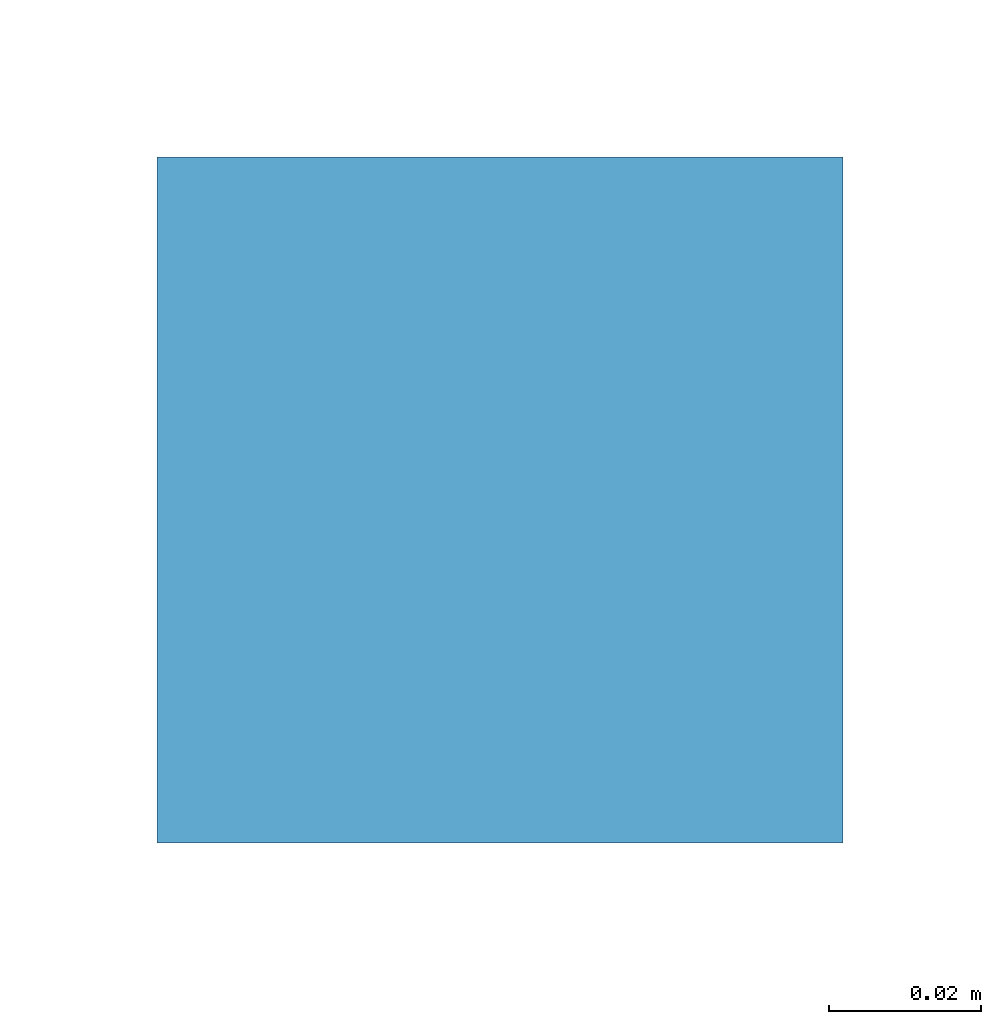
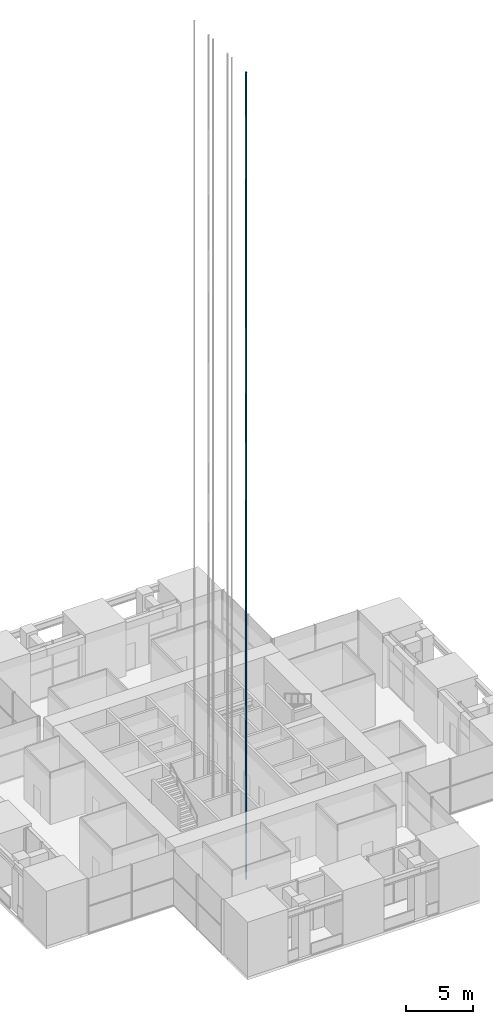
# One storey, part 8 of 17: 1 discrete accessory.
"""IFC4 building model written with IfcOpenShell, lengths in metres."""

from ifc_helpers import new_model, si_unit, direction, frame, origin, origin_2d, place, context, subcontext, project, spatial, rectangle, extrude, element, save


model = new_model("IFC4")

# Units and contexts
model_context = context("Model", 3, precision=1e-05, world=origin(), true_north=direction((0.0, 1.0)))
body_context = subcontext(model_context, "Body", "Model", "MODEL_VIEW")
ifc_project = project(units=[si_unit("LENGTHUNIT", "METRE"), si_unit("AREAUNIT", "SQUARE_METRE"), si_unit("VOLUMEUNIT", "CUBIC_METRE"), si_unit("PLANEANGLEUNIT", "RADIAN"), si_unit("MASSUNIT", "GRAM", prefix="KILO")], contexts=[model_context])

# Site, building, storey
site_placement = place(None, origin())
site = spatial("IfcSite", under=ifc_project, at=site_placement, CompositionType="ELEMENT")
building_placement = place(site_placement, origin())
building = spatial("IfcBuilding", under=site, at=building_placement, Name="Svetlomir Tower", CompositionType="ELEMENT")
storey_placement = place(building_placement, frame((0.0, 0.0, 165.5)))
storey = spatial("IfcBuildingStorey", under=building, at=storey_placement, Name="L39", CompositionType="ELEMENT", Elevation=165.5)

# Discrete accessory
discrete_accessory_placement = place(storey_placement, frame((18.300048828125, 12.824951171875, -1.400146484375), z_axis=(0.0, 0.0, 1.0), x_axis=(1.0, 0.0, 0.0)))
element("IfcDiscreteAccessory", 1, at=discrete_accessory_placement, inside=storey, Name="Lift LC1 guide rail 1", ObjectType="LIFT GUIDE RAIL", PredefinedType="USERDEFINED", context=body_context, shape_type="SweptSolid", body=[
    extrude(rectangle(XDim=0.090087890625, YDim=0.090087890625, at=origin_2d()), origin(), (0.0, 0.0, 1.0), 73.60009765625),
])

save(model, "model.ifc")
